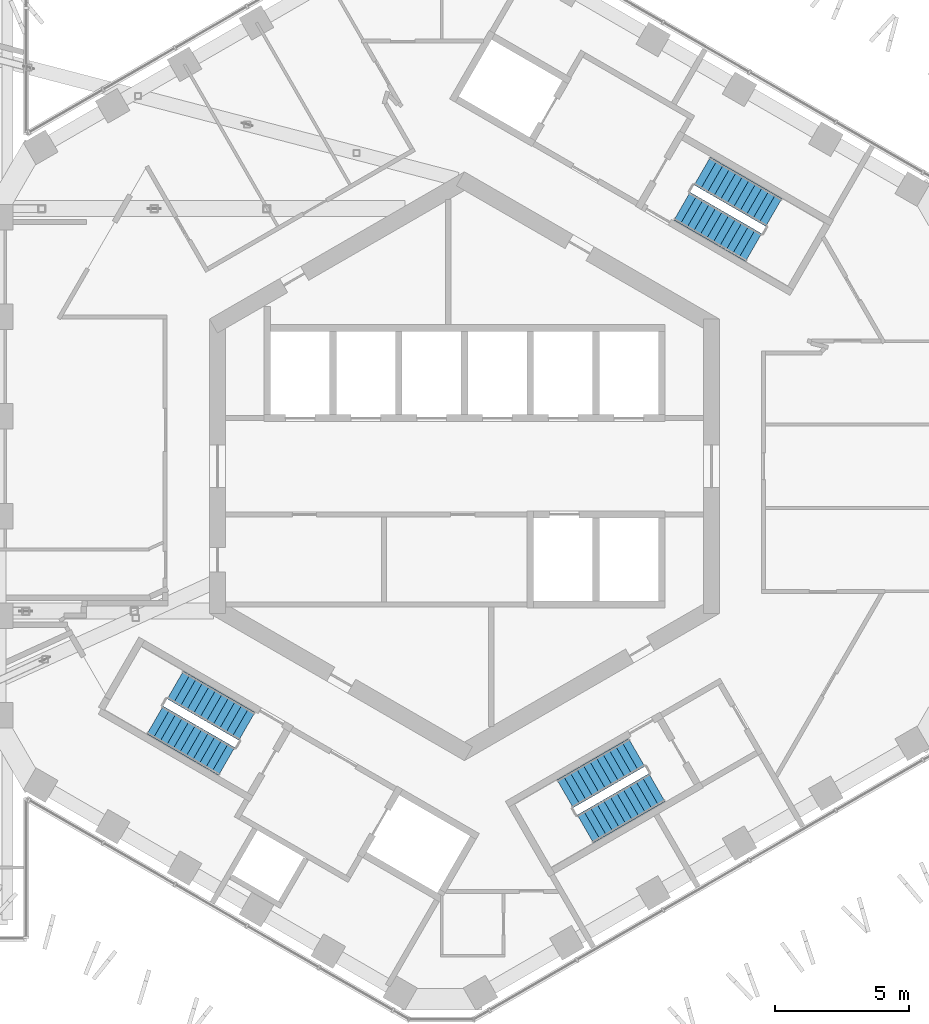
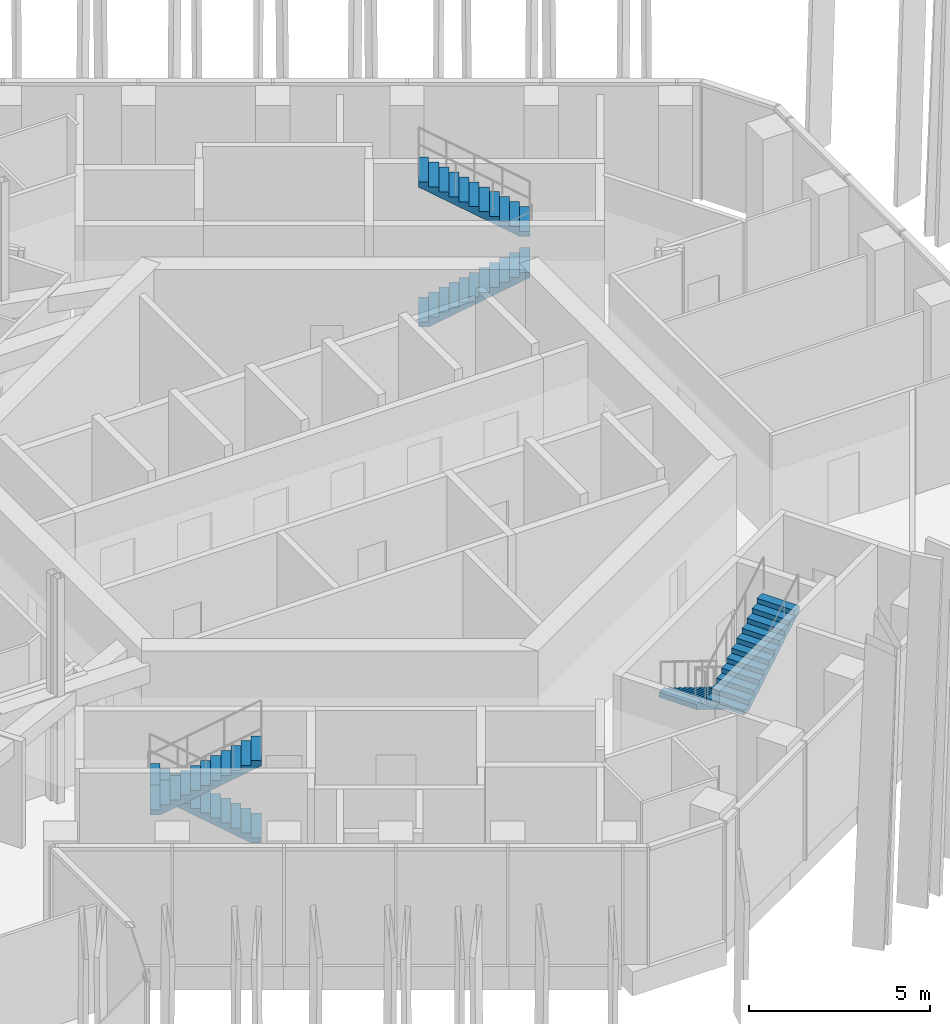
# One storey, part 24 of 28: 6 stair flights, 3 elements without a shape of their own.
"""IFC4 building model written with IfcOpenShell, lengths in metres."""

from ifc_helpers import new_model, si_unit, direction, frame, origin, place, context, subcontext, project, spatial, triangles, material, type_object, element, aggregate, save


model = new_model("IFC4")

# Units and contexts
model_context = context("Model", 3, precision=1e-05, world=origin(), true_north=direction((0.0, 1.0)))
body_context = subcontext(model_context, "Body", "Model", "MODEL_VIEW")
ifc_project = project(units=[si_unit("LENGTHUNIT", "METRE"), si_unit("AREAUNIT", "SQUARE_METRE"), si_unit("VOLUMEUNIT", "CUBIC_METRE"), si_unit("PLANEANGLEUNIT", "RADIAN"), si_unit("MASSUNIT", "GRAM", prefix="KILO")], contexts=[model_context])

# Site, building, storey
site_placement = place(None, origin())
site = spatial("IfcSite", under=ifc_project, at=site_placement, CompositionType="ELEMENT")
building_placement = place(site_placement, origin())
building = spatial("IfcBuilding", under=site, at=building_placement, Name="Ayvan Gate Tower", CompositionType="ELEMENT")
storey_placement = place(building_placement, frame((0.0, 0.0, 202.10009765625)))
storey = spatial("IfcBuildingStorey", under=building, at=storey_placement, Name="L54", CompositionType="ELEMENT", Elevation=202.10009765625)

# Stair, stair flights
ifc_material = material(Name="Concrete C40/50", Category="concrete")
stair_type = type_object("IfcStairType", Name="ST-EXIT", PredefinedType="HALF_TURN_STAIR", material=ifc_material)
stair_1_placement = place(storey_placement, origin())
stair_1 = element("IfcStair", 1, at=stair_1_placement, inside=storey, type_object=stair_type, Name="L54 Exit Stair S1", PredefinedType="HALF_TURN_STAIR")
stair_flight_type = type_object("IfcStairFlightType", Name="SFL-EXIT", PredefinedType="STRAIGHT", material=ifc_material)
stair_flight_1_placement = place(storey_placement, frame((8.106201171875, 9.690185546875, 0.0), z_axis=(0.0, 0.0, 1.0), x_axis=(0.866025403784, -0.5, 0.0)))
stair_flight_1 = element("IfcStairFlight", 2, at=stair_flight_1_placement, type_object=stair_flight_type, Name="STS1 flight 1", NumberOfRisers=12, NumberOfTreads=11, PredefinedType="STRAIGHT", RiserHeight=0.166666667, TreadLength=0.28, context=body_context, shape_type="Tessellation", body=[
    triangles([(0.293073, -0.599976, 0.0), (3.0805, -0.599976, 1.659182), (3.0805, -0.599976, 1.833333), (2.8, -0.599976, 1.833333), (2.8, -0.599976, 1.666667), (2.52, -0.599976, 1.666667), (2.52, -0.599976, 1.5), (2.24, -0.599976, 1.5), (2.24, -0.599976, 1.333333), (1.96, -0.599976, 1.333333), (1.96, -0.599976, 1.166667), (1.68, -0.599976, 1.166667), (1.68, -0.599976, 1.0), (1.4, -0.599976, 1.0), (1.4, -0.599976, 0.833333), (1.12, -0.599976, 0.833333), (1.12, -0.599976, 0.666667), (0.84, -0.599976, 0.666667), (0.84, -0.599976, 0.5), (0.56, -0.599976, 0.5), (0.56, -0.599976, 0.333333), (0.28, -0.599976, 0.333333), (0.28, -0.599976, 0.166667), (-0.0005, -0.599976, 0.166667), (-0.0005, -0.599976, 0.0), (0.293073, 0.0, 0.0), (3.0805, 0.0, 1.659182), (3.0805, 0.0, 1.833333), (2.8, 0.0, 1.833333), (2.8, 0.0, 1.666667), (2.52, 0.0, 1.666667), (2.52, 0.0, 1.5), (2.24, 0.0, 1.5), (2.24, 0.0, 1.333333), (1.96, 0.0, 1.333333), (1.96, 0.0, 1.166667), (1.68, 0.0, 1.166667), (1.68, 0.0, 1.0), (1.4, 0.0, 1.0), (1.4, 0.0, 0.833333), (1.12, 0.0, 0.833333), (1.12, 0.0, 0.666667), (0.84, 0.0, 0.666667), (0.84, 0.0, 0.5), (0.56, 0.0, 0.5), (0.56, 0.0, 0.333333), (0.28, 0.0, 0.333333), (0.28, 0.0, 0.166667), (-0.0005, 0.0, 0.166667), (-0.0005, 0.0, 0.0), (0.293073, 0.599976, 0.0), (3.0805, 0.599976, 1.659182), (3.0805, 0.599976, 1.833333), (2.8, 0.599976, 1.833333), (2.8, 0.599976, 1.666667), (2.52, 0.599976, 1.666667), (2.52, 0.599976, 1.5), (2.24, 0.599976, 1.5), (2.24, 0.599976, 1.333333), (1.96, 0.599976, 1.333333), (1.96, 0.599976, 1.166667), (1.68, 0.599976, 1.166667), (1.68, 0.599976, 1.0), (1.4, 0.599976, 1.0), (1.4, 0.599976, 0.833333), (1.12, 0.599976, 0.833333), (1.12, 0.599976, 0.666667), (0.84, 0.599976, 0.666667), (0.84, 0.599976, 0.5), (0.56, 0.599976, 0.5), (0.56, 0.599976, 0.333333), (0.28, 0.599976, 0.333333), (0.28, 0.599976, 0.166667), (-0.0005, 0.599976, 0.166667), (-0.0005, 0.599976, 0.0)], [[25, 1, 2], [75, 52, 51], [2, 3, 4], [52, 54, 53], [2, 4, 5], [52, 55, 54], [2, 5, 6], [52, 56, 55], [2, 6, 7], [52, 57, 56], [7, 8, 9], [57, 59, 58], [2, 7, 9], [52, 59, 57], [9, 10, 11], [59, 61, 60], [2, 9, 11], [52, 61, 59], [11, 12, 13], [61, 63, 62], [2, 11, 13], [52, 63, 61], [13, 14, 15], [63, 65, 64], [2, 13, 15], [52, 65, 63], [15, 16, 17], [65, 67, 66], [2, 15, 17], [52, 67, 65], [17, 18, 19], [67, 69, 68], [2, 17, 19], [52, 69, 67], [19, 20, 21], [69, 71, 70], [2, 19, 21], [52, 71, 69], [21, 22, 23], [71, 73, 72], [2, 21, 23], [52, 73, 71], [25, 2, 23], [75, 73, 52], [23, 24, 25], [73, 75, 74], [1, 26, 27], [1, 27, 2], [51, 27, 26], [51, 52, 27], [2, 27, 28], [2, 28, 3], [52, 28, 27], [52, 53, 28], [3, 28, 29], [3, 29, 4], [53, 29, 28], [53, 54, 29], [4, 29, 30], [4, 30, 5], [54, 30, 29], [54, 55, 30], [5, 30, 31], [5, 31, 6], [55, 31, 30], [55, 56, 31], [6, 31, 32], [6, 32, 7], [56, 32, 31], [56, 57, 32], [7, 32, 33], [7, 33, 8], [57, 33, 32], [57, 58, 33], [8, 33, 34], [8, 34, 9], [58, 34, 33], [58, 59, 34], [9, 34, 35], [9, 35, 10], [59, 35, 34], [59, 60, 35], [10, 35, 36], [10, 36, 11], [60, 36, 35], [60, 61, 36], [11, 36, 37], [11, 37, 12], [61, 37, 36], [61, 62, 37], [12, 37, 38], [12, 38, 13], [62, 38, 37], [62, 63, 38], [13, 38, 39], [13, 39, 14], [63, 39, 38], [63, 64, 39], [14, 39, 40], [14, 40, 15], [64, 40, 39], [64, 65, 40], [15, 40, 41], [15, 41, 16], [65, 41, 40], [65, 66, 41], [16, 41, 42], [16, 42, 17], [66, 42, 41], [66, 67, 42], [17, 42, 43], [17, 43, 18], [67, 43, 42], [67, 68, 43], [18, 43, 44], [18, 44, 19], [68, 44, 43], [68, 69, 44], [19, 44, 45], [19, 45, 20], [69, 45, 44], [69, 70, 45], [20, 45, 46], [20, 46, 21], [70, 46, 45], [70, 71, 46], [21, 46, 47], [21, 47, 22], [71, 47, 46], [71, 72, 47], [22, 47, 48], [22, 48, 23], [72, 48, 47], [72, 73, 48], [23, 48, 49], [23, 49, 24], [73, 49, 48], [73, 74, 49], [24, 49, 50], [24, 50, 25], [74, 50, 49], [74, 75, 50], [25, 50, 26], [25, 26, 1], [75, 26, 50], [75, 51, 26]], closed=True),
])
stair_flight_2_placement = place(storey_placement, frame((11.528564453125, 9.457763671875, 2.0), z_axis=(0.0, 0.0, 1.0), x_axis=(-0.866025403784, 0.5, 0.0)))
stair_flight_2 = element("IfcStairFlight", 3, at=stair_flight_2_placement, type_object=stair_flight_type, Name="STS1 flight 2", NumberOfRisers=12, NumberOfTreads=11, PredefinedType="STRAIGHT", RiserHeight=0.166666667, TreadLength=0.28, context=body_context, shape_type="Tessellation", body=[
    triangles([(0.293073, -0.599976, 0.0), (3.0805, -0.599976, 1.659182), (3.0805, -0.599976, 1.833333), (2.8, -0.599976, 1.833333), (2.8, -0.599976, 1.666667), (2.52, -0.599976, 1.666667), (2.52, -0.599976, 1.5), (2.24, -0.599976, 1.5), (2.24, -0.599976, 1.333333), (1.96, -0.599976, 1.333333), (1.96, -0.599976, 1.166667), (1.68, -0.599976, 1.166667), (1.68, -0.599976, 1.0), (1.4, -0.599976, 1.0), (1.4, -0.599976, 0.833333), (1.12, -0.599976, 0.833333), (1.12, -0.599976, 0.666667), (0.84, -0.599976, 0.666667), (0.84, -0.599976, 0.5), (0.56, -0.599976, 0.5), (0.56, -0.599976, 0.333333), (0.28, -0.599976, 0.333333), (0.28, -0.599976, 0.166667), (-0.0005, -0.599976, 0.166667), (-0.0005, -0.599976, 0.0), (0.293073, 0.0, 0.0), (3.0805, 0.0, 1.659182), (3.0805, 0.0, 1.833333), (2.8, 0.0, 1.833333), (2.8, 0.0, 1.666667), (2.52, 0.0, 1.666667), (2.52, 0.0, 1.5), (2.24, 0.0, 1.5), (2.24, 0.0, 1.333333), (1.96, 0.0, 1.333333), (1.96, 0.0, 1.166667), (1.68, 0.0, 1.166667), (1.68, 0.0, 1.0), (1.4, 0.0, 1.0), (1.4, 0.0, 0.833333), (1.12, 0.0, 0.833333), (1.12, 0.0, 0.666667), (0.84, 0.0, 0.666667), (0.84, 0.0, 0.5), (0.56, 0.0, 0.5), (0.56, 0.0, 0.333333), (0.28, 0.0, 0.333333), (0.28, 0.0, 0.166667), (-0.0005, 0.0, 0.166667), (-0.0005, 0.0, 0.0), (0.293073, 0.599976, 0.0), (3.0805, 0.599976, 1.659182), (3.0805, 0.599976, 1.833333), (2.8, 0.599976, 1.833333), (2.8, 0.599976, 1.666667), (2.52, 0.599976, 1.666667), (2.52, 0.599976, 1.5), (2.24, 0.599976, 1.5), (2.24, 0.599976, 1.333333), (1.96, 0.599976, 1.333333), (1.96, 0.599976, 1.166667), (1.68, 0.599976, 1.166667), (1.68, 0.599976, 1.0), (1.4, 0.599976, 1.0), (1.4, 0.599976, 0.833333), (1.12, 0.599976, 0.833333), (1.12, 0.599976, 0.666667), (0.84, 0.599976, 0.666667), (0.84, 0.599976, 0.5), (0.56, 0.599976, 0.5), (0.56, 0.599976, 0.333333), (0.28, 0.599976, 0.333333), (0.28, 0.599976, 0.166667), (-0.0005, 0.599976, 0.166667), (-0.0005, 0.599976, 0.0)], [[25, 1, 2], [75, 52, 51], [2, 3, 4], [52, 54, 53], [2, 4, 5], [52, 55, 54], [2, 5, 6], [52, 56, 55], [2, 6, 7], [52, 57, 56], [7, 8, 9], [57, 59, 58], [2, 7, 9], [52, 59, 57], [9, 10, 11], [59, 61, 60], [2, 9, 11], [52, 61, 59], [11, 12, 13], [61, 63, 62], [2, 11, 13], [52, 63, 61], [13, 14, 15], [63, 65, 64], [2, 13, 15], [52, 65, 63], [15, 16, 17], [65, 67, 66], [2, 15, 17], [52, 67, 65], [17, 18, 19], [67, 69, 68], [2, 17, 19], [52, 69, 67], [19, 20, 21], [69, 71, 70], [2, 19, 21], [52, 71, 69], [21, 22, 23], [71, 73, 72], [2, 21, 23], [52, 73, 71], [25, 2, 23], [75, 73, 52], [23, 24, 25], [73, 75, 74], [1, 26, 27], [1, 27, 2], [51, 27, 26], [51, 52, 27], [2, 27, 28], [2, 28, 3], [52, 28, 27], [52, 53, 28], [3, 28, 29], [3, 29, 4], [53, 29, 28], [53, 54, 29], [4, 29, 30], [4, 30, 5], [54, 30, 29], [54, 55, 30], [5, 30, 31], [5, 31, 6], [55, 31, 30], [55, 56, 31], [6, 31, 32], [6, 32, 7], [56, 32, 31], [56, 57, 32], [7, 32, 33], [7, 33, 8], [57, 33, 32], [57, 58, 33], [8, 33, 34], [8, 34, 9], [58, 34, 33], [58, 59, 34], [9, 34, 35], [9, 35, 10], [59, 35, 34], [59, 60, 35], [10, 35, 36], [10, 36, 11], [60, 36, 35], [60, 61, 36], [11, 36, 37], [11, 37, 12], [61, 37, 36], [61, 62, 37], [12, 37, 38], [12, 38, 13], [62, 38, 37], [62, 63, 38], [13, 38, 39], [13, 39, 14], [63, 39, 38], [63, 64, 39], [14, 39, 40], [14, 40, 15], [64, 40, 39], [64, 65, 40], [15, 40, 41], [15, 41, 16], [65, 41, 40], [65, 66, 41], [16, 41, 42], [16, 42, 17], [66, 42, 41], [66, 67, 42], [17, 42, 43], [17, 43, 18], [67, 43, 42], [67, 68, 43], [18, 43, 44], [18, 44, 19], [68, 44, 43], [68, 69, 44], [19, 44, 45], [19, 45, 20], [69, 45, 44], [69, 70, 45], [20, 45, 46], [20, 46, 21], [70, 46, 45], [70, 71, 46], [21, 46, 47], [21, 47, 22], [71, 47, 46], [71, 72, 47], [22, 47, 48], [22, 48, 23], [72, 48, 47], [72, 73, 48], [23, 48, 49], [23, 49, 24], [73, 49, 48], [73, 74, 49], [24, 49, 50], [24, 50, 25], [74, 50, 49], [74, 75, 50], [25, 50, 26], [25, 26, 1], [75, 26, 50], [75, 51, 26]], closed=True),
])
aggregate(stair_1, [stair_flight_1, stair_flight_2])

stair_2_placement = place(storey_placement, origin())
stair_2 = element("IfcStair", 4, at=stair_2_placement, inside=storey, type_object=stair_type, Name="L54 Exit Stair S2", PredefinedType="HALF_TURN_STAIR")
stair_flight_3_placement = place(storey_placement, frame((-8.106201171875, -9.690185546875, 0.0), z_axis=(0.0, 0.0, 1.0), x_axis=(-0.866025403784, 0.5, 0.0)))
stair_flight_3 = element("IfcStairFlight", 5, at=stair_flight_3_placement, type_object=stair_flight_type, Name="STS2 flight 1", NumberOfRisers=12, NumberOfTreads=11, PredefinedType="STRAIGHT", RiserHeight=0.166666667, TreadLength=0.28, context=body_context, shape_type="Tessellation", body=[
    triangles([(0.293073, -0.599976, 0.0), (3.0805, -0.599976, 1.659182), (3.0805, -0.599976, 1.833333), (2.8, -0.599976, 1.833333), (2.8, -0.599976, 1.666667), (2.52, -0.599976, 1.666667), (2.52, -0.599976, 1.5), (2.24, -0.599976, 1.5), (2.24, -0.599976, 1.333333), (1.96, -0.599976, 1.333333), (1.96, -0.599976, 1.166667), (1.68, -0.599976, 1.166667), (1.68, -0.599976, 1.0), (1.4, -0.599976, 1.0), (1.4, -0.599976, 0.833333), (1.12, -0.599976, 0.833333), (1.12, -0.599976, 0.666667), (0.84, -0.599976, 0.666667), (0.84, -0.599976, 0.5), (0.56, -0.599976, 0.5), (0.56, -0.599976, 0.333333), (0.28, -0.599976, 0.333333), (0.28, -0.599976, 0.166667), (-0.0005, -0.599976, 0.166667), (-0.0005, -0.599976, 0.0), (0.293073, 0.0, 0.0), (3.0805, 0.0, 1.659182), (3.0805, 0.0, 1.833333), (2.8, 0.0, 1.833333), (2.8, 0.0, 1.666667), (2.52, 0.0, 1.666667), (2.52, 0.0, 1.5), (2.24, 0.0, 1.5), (2.24, 0.0, 1.333333), (1.96, 0.0, 1.333333), (1.96, 0.0, 1.166667), (1.68, 0.0, 1.166667), (1.68, 0.0, 1.0), (1.4, 0.0, 1.0), (1.4, 0.0, 0.833333), (1.12, 0.0, 0.833333), (1.12, 0.0, 0.666667), (0.84, 0.0, 0.666667), (0.84, 0.0, 0.5), (0.56, 0.0, 0.5), (0.56, 0.0, 0.333333), (0.28, 0.0, 0.333333), (0.28, 0.0, 0.166667), (-0.0005, 0.0, 0.166667), (-0.0005, 0.0, 0.0), (0.293073, 0.599976, 0.0), (3.0805, 0.599976, 1.659182), (3.0805, 0.599976, 1.833333), (2.8, 0.599976, 1.833333), (2.8, 0.599976, 1.666667), (2.52, 0.599976, 1.666667), (2.52, 0.599976, 1.5), (2.24, 0.599976, 1.5), (2.24, 0.599976, 1.333333), (1.96, 0.599976, 1.333333), (1.96, 0.599976, 1.166667), (1.68, 0.599976, 1.166667), (1.68, 0.599976, 1.0), (1.4, 0.599976, 1.0), (1.4, 0.599976, 0.833333), (1.12, 0.599976, 0.833333), (1.12, 0.599976, 0.666667), (0.84, 0.599976, 0.666667), (0.84, 0.599976, 0.5), (0.56, 0.599976, 0.5), (0.56, 0.599976, 0.333333), (0.28, 0.599976, 0.333333), (0.28, 0.599976, 0.166667), (-0.0005, 0.599976, 0.166667), (-0.0005, 0.599976, 0.0)], [[25, 1, 2], [75, 52, 51], [2, 3, 4], [52, 54, 53], [2, 4, 5], [52, 55, 54], [2, 5, 6], [52, 56, 55], [2, 6, 7], [52, 57, 56], [7, 8, 9], [57, 59, 58], [2, 7, 9], [52, 59, 57], [9, 10, 11], [59, 61, 60], [2, 9, 11], [52, 61, 59], [11, 12, 13], [61, 63, 62], [2, 11, 13], [52, 63, 61], [13, 14, 15], [63, 65, 64], [2, 13, 15], [52, 65, 63], [15, 16, 17], [65, 67, 66], [2, 15, 17], [52, 67, 65], [17, 18, 19], [67, 69, 68], [2, 17, 19], [52, 69, 67], [19, 20, 21], [69, 71, 70], [2, 19, 21], [52, 71, 69], [21, 22, 23], [71, 73, 72], [2, 21, 23], [52, 73, 71], [25, 2, 23], [75, 73, 52], [23, 24, 25], [73, 75, 74], [1, 26, 27], [1, 27, 2], [51, 27, 26], [51, 52, 27], [2, 27, 28], [2, 28, 3], [52, 28, 27], [52, 53, 28], [3, 28, 29], [3, 29, 4], [53, 29, 28], [53, 54, 29], [4, 29, 30], [4, 30, 5], [54, 30, 29], [54, 55, 30], [5, 30, 31], [5, 31, 6], [55, 31, 30], [55, 56, 31], [6, 31, 32], [6, 32, 7], [56, 32, 31], [56, 57, 32], [7, 32, 33], [7, 33, 8], [57, 33, 32], [57, 58, 33], [8, 33, 34], [8, 34, 9], [58, 34, 33], [58, 59, 34], [9, 34, 35], [9, 35, 10], [59, 35, 34], [59, 60, 35], [10, 35, 36], [10, 36, 11], [60, 36, 35], [60, 61, 36], [11, 36, 37], [11, 37, 12], [61, 37, 36], [61, 62, 37], [12, 37, 38], [12, 38, 13], [62, 38, 37], [62, 63, 38], [13, 38, 39], [13, 39, 14], [63, 39, 38], [63, 64, 39], [14, 39, 40], [14, 40, 15], [64, 40, 39], [64, 65, 40], [15, 40, 41], [15, 41, 16], [65, 41, 40], [65, 66, 41], [16, 41, 42], [16, 42, 17], [66, 42, 41], [66, 67, 42], [17, 42, 43], [17, 43, 18], [67, 43, 42], [67, 68, 43], [18, 43, 44], [18, 44, 19], [68, 44, 43], [68, 69, 44], [19, 44, 45], [19, 45, 20], [69, 45, 44], [69, 70, 45], [20, 45, 46], [20, 46, 21], [70, 46, 45], [70, 71, 46], [21, 46, 47], [21, 47, 22], [71, 47, 46], [71, 72, 47], [22, 47, 48], [22, 48, 23], [72, 48, 47], [72, 73, 48], [23, 48, 49], [23, 49, 24], [73, 49, 48], [73, 74, 49], [24, 49, 50], [24, 50, 25], [74, 50, 49], [74, 75, 50], [25, 50, 26], [25, 26, 1], [75, 26, 50], [75, 51, 26]], closed=True),
])
stair_flight_4_placement = place(storey_placement, frame((-11.528564453125, -9.457763671875, 2.0), z_axis=(0.0, 0.0, 1.0), x_axis=(0.866025403784, -0.5, 0.0)))
stair_flight_4 = element("IfcStairFlight", 6, at=stair_flight_4_placement, type_object=stair_flight_type, Name="STS2 flight 2", NumberOfRisers=12, NumberOfTreads=11, PredefinedType="STRAIGHT", RiserHeight=0.166666667, TreadLength=0.28, context=body_context, shape_type="Tessellation", body=[
    triangles([(0.293073, -0.599976, 0.0), (3.0805, -0.599976, 1.659182), (3.0805, -0.599976, 1.833333), (2.8, -0.599976, 1.833333), (2.8, -0.599976, 1.666667), (2.52, -0.599976, 1.666667), (2.52, -0.599976, 1.5), (2.24, -0.599976, 1.5), (2.24, -0.599976, 1.333333), (1.96, -0.599976, 1.333333), (1.96, -0.599976, 1.166667), (1.68, -0.599976, 1.166667), (1.68, -0.599976, 1.0), (1.4, -0.599976, 1.0), (1.4, -0.599976, 0.833333), (1.12, -0.599976, 0.833333), (1.12, -0.599976, 0.666667), (0.84, -0.599976, 0.666667), (0.84, -0.599976, 0.5), (0.56, -0.599976, 0.5), (0.56, -0.599976, 0.333333), (0.28, -0.599976, 0.333333), (0.28, -0.599976, 0.166667), (-0.0005, -0.599976, 0.166667), (-0.0005, -0.599976, 0.0), (0.293073, 0.0, 0.0), (3.0805, 0.0, 1.659182), (3.0805, 0.0, 1.833333), (2.8, 0.0, 1.833333), (2.8, 0.0, 1.666667), (2.52, 0.0, 1.666667), (2.52, 0.0, 1.5), (2.24, 0.0, 1.5), (2.24, 0.0, 1.333333), (1.96, 0.0, 1.333333), (1.96, 0.0, 1.166667), (1.68, 0.0, 1.166667), (1.68, 0.0, 1.0), (1.4, 0.0, 1.0), (1.4, 0.0, 0.833333), (1.12, 0.0, 0.833333), (1.12, 0.0, 0.666667), (0.84, 0.0, 0.666667), (0.84, 0.0, 0.5), (0.56, 0.0, 0.5), (0.56, 0.0, 0.333333), (0.28, 0.0, 0.333333), (0.28, 0.0, 0.166667), (-0.0005, 0.0, 0.166667), (-0.0005, 0.0, 0.0), (0.293073, 0.599976, 0.0), (3.0805, 0.599976, 1.659182), (3.0805, 0.599976, 1.833333), (2.8, 0.599976, 1.833333), (2.8, 0.599976, 1.666667), (2.52, 0.599976, 1.666667), (2.52, 0.599976, 1.5), (2.24, 0.599976, 1.5), (2.24, 0.599976, 1.333333), (1.96, 0.599976, 1.333333), (1.96, 0.599976, 1.166667), (1.68, 0.599976, 1.166667), (1.68, 0.599976, 1.0), (1.4, 0.599976, 1.0), (1.4, 0.599976, 0.833333), (1.12, 0.599976, 0.833333), (1.12, 0.599976, 0.666667), (0.84, 0.599976, 0.666667), (0.84, 0.599976, 0.5), (0.56, 0.599976, 0.5), (0.56, 0.599976, 0.333333), (0.28, 0.599976, 0.333333), (0.28, 0.599976, 0.166667), (-0.0005, 0.599976, 0.166667), (-0.0005, 0.599976, 0.0)], [[25, 1, 2], [75, 52, 51], [2, 3, 4], [52, 54, 53], [2, 4, 5], [52, 55, 54], [2, 5, 6], [52, 56, 55], [2, 6, 7], [52, 57, 56], [7, 8, 9], [57, 59, 58], [2, 7, 9], [52, 59, 57], [9, 10, 11], [59, 61, 60], [2, 9, 11], [52, 61, 59], [11, 12, 13], [61, 63, 62], [2, 11, 13], [52, 63, 61], [13, 14, 15], [63, 65, 64], [2, 13, 15], [52, 65, 63], [15, 16, 17], [65, 67, 66], [2, 15, 17], [52, 67, 65], [17, 18, 19], [67, 69, 68], [2, 17, 19], [52, 69, 67], [19, 20, 21], [69, 71, 70], [2, 19, 21], [52, 71, 69], [21, 22, 23], [71, 73, 72], [2, 21, 23], [52, 73, 71], [25, 2, 23], [75, 73, 52], [23, 24, 25], [73, 75, 74], [1, 26, 27], [1, 27, 2], [51, 27, 26], [51, 52, 27], [2, 27, 28], [2, 28, 3], [52, 28, 27], [52, 53, 28], [3, 28, 29], [3, 29, 4], [53, 29, 28], [53, 54, 29], [4, 29, 30], [4, 30, 5], [54, 30, 29], [54, 55, 30], [5, 30, 31], [5, 31, 6], [55, 31, 30], [55, 56, 31], [6, 31, 32], [6, 32, 7], [56, 32, 31], [56, 57, 32], [7, 32, 33], [7, 33, 8], [57, 33, 32], [57, 58, 33], [8, 33, 34], [8, 34, 9], [58, 34, 33], [58, 59, 34], [9, 34, 35], [9, 35, 10], [59, 35, 34], [59, 60, 35], [10, 35, 36], [10, 36, 11], [60, 36, 35], [60, 61, 36], [11, 36, 37], [11, 37, 12], [61, 37, 36], [61, 62, 37], [12, 37, 38], [12, 38, 13], [62, 38, 37], [62, 63, 38], [13, 38, 39], [13, 39, 14], [63, 39, 38], [63, 64, 39], [14, 39, 40], [14, 40, 15], [64, 40, 39], [64, 65, 40], [15, 40, 41], [15, 41, 16], [65, 41, 40], [65, 66, 41], [16, 41, 42], [16, 42, 17], [66, 42, 41], [66, 67, 42], [17, 42, 43], [17, 43, 18], [67, 43, 42], [67, 68, 43], [18, 43, 44], [18, 44, 19], [68, 44, 43], [68, 69, 44], [19, 44, 45], [19, 45, 20], [69, 45, 44], [69, 70, 45], [20, 45, 46], [20, 46, 21], [70, 46, 45], [70, 71, 46], [21, 46, 47], [21, 47, 22], [71, 47, 46], [71, 72, 47], [22, 47, 48], [22, 48, 23], [72, 48, 47], [72, 73, 48], [23, 48, 49], [23, 49, 24], [73, 49, 48], [73, 74, 49], [24, 49, 50], [24, 50, 25], [74, 50, 49], [74, 75, 50], [25, 50, 26], [25, 26, 1], [75, 26, 50], [75, 51, 26]], closed=True),
])
aggregate(stair_2, [stair_flight_3, stair_flight_4])

stair_3_placement = place(storey_placement, origin())
stair_3 = element("IfcStair", 7, at=stair_3_placement, inside=storey, type_object=stair_type, Name="L54 Exit Stair S3", PredefinedType="HALF_TURN_STAIR")
stair_flight_5_placement = place(storey_placement, frame((6.417236328125, -10.665283203125, 0.0), z_axis=(0.0, 0.0, 1.0), x_axis=(-0.866025403784, -0.5, 0.0)))
stair_flight_5 = element("IfcStairFlight", 8, at=stair_flight_5_placement, type_object=stair_flight_type, Name="STS3 flight 1", NumberOfRisers=12, NumberOfTreads=11, PredefinedType="STRAIGHT", RiserHeight=0.166666667, TreadLength=0.28, context=body_context, shape_type="Tessellation", body=[
    triangles([(0.293073, -0.599976, 0.0), (3.0805, -0.599976, 1.659182), (3.0805, -0.599976, 1.833333), (2.8, -0.599976, 1.833333), (2.8, -0.599976, 1.666667), (2.52, -0.599976, 1.666667), (2.52, -0.599976, 1.5), (2.24, -0.599976, 1.5), (2.24, -0.599976, 1.333333), (1.96, -0.599976, 1.333333), (1.96, -0.599976, 1.166667), (1.68, -0.599976, 1.166667), (1.68, -0.599976, 1.0), (1.4, -0.599976, 1.0), (1.4, -0.599976, 0.833333), (1.12, -0.599976, 0.833333), (1.12, -0.599976, 0.666667), (0.84, -0.599976, 0.666667), (0.84, -0.599976, 0.5), (0.56, -0.599976, 0.5), (0.56, -0.599976, 0.333333), (0.28, -0.599976, 0.333333), (0.28, -0.599976, 0.166667), (-0.0005, -0.599976, 0.166667), (-0.0005, -0.599976, 0.0), (0.293073, 0.0, 0.0), (3.0805, 0.0, 1.659182), (3.0805, 0.0, 1.833333), (2.8, 0.0, 1.833333), (2.8, 0.0, 1.666667), (2.52, 0.0, 1.666667), (2.52, 0.0, 1.5), (2.24, 0.0, 1.5), (2.24, 0.0, 1.333333), (1.96, 0.0, 1.333333), (1.96, 0.0, 1.166667), (1.68, 0.0, 1.166667), (1.68, 0.0, 1.0), (1.4, 0.0, 1.0), (1.4, 0.0, 0.833333), (1.12, 0.0, 0.833333), (1.12, 0.0, 0.666667), (0.84, 0.0, 0.666667), (0.84, 0.0, 0.5), (0.56, 0.0, 0.5), (0.56, 0.0, 0.333333), (0.28, 0.0, 0.333333), (0.28, 0.0, 0.166667), (-0.0005, 0.0, 0.166667), (-0.0005, 0.0, 0.0), (0.293073, 0.599976, 0.0), (3.0805, 0.599976, 1.659182), (3.0805, 0.599976, 1.833333), (2.8, 0.599976, 1.833333), (2.8, 0.599976, 1.666667), (2.52, 0.599976, 1.666667), (2.52, 0.599976, 1.5), (2.24, 0.599976, 1.5), (2.24, 0.599976, 1.333333), (1.96, 0.599976, 1.333333), (1.96, 0.599976, 1.166667), (1.68, 0.599976, 1.166667), (1.68, 0.599976, 1.0), (1.4, 0.599976, 1.0), (1.4, 0.599976, 0.833333), (1.12, 0.599976, 0.833333), (1.12, 0.599976, 0.666667), (0.84, 0.599976, 0.666667), (0.84, 0.599976, 0.5), (0.56, 0.599976, 0.5), (0.56, 0.599976, 0.333333), (0.28, 0.599976, 0.333333), (0.28, 0.599976, 0.166667), (-0.0005, 0.599976, 0.166667), (-0.0005, 0.599976, 0.0)], [[25, 1, 2], [75, 52, 51], [2, 3, 4], [52, 54, 53], [2, 4, 5], [52, 55, 54], [2, 5, 6], [52, 56, 55], [2, 6, 7], [52, 57, 56], [7, 8, 9], [57, 59, 58], [2, 7, 9], [52, 59, 57], [9, 10, 11], [59, 61, 60], [2, 9, 11], [52, 61, 59], [11, 12, 13], [61, 63, 62], [2, 11, 13], [52, 63, 61], [13, 14, 15], [63, 65, 64], [2, 13, 15], [52, 65, 63], [15, 16, 17], [65, 67, 66], [2, 15, 17], [52, 67, 65], [17, 18, 19], [67, 69, 68], [2, 17, 19], [52, 69, 67], [19, 20, 21], [69, 71, 70], [2, 19, 21], [52, 71, 69], [21, 22, 23], [71, 73, 72], [2, 21, 23], [52, 73, 71], [25, 2, 23], [75, 73, 52], [23, 24, 25], [73, 75, 74], [1, 26, 27], [1, 27, 2], [51, 27, 26], [51, 52, 27], [2, 27, 28], [2, 28, 3], [52, 28, 27], [52, 53, 28], [3, 28, 29], [3, 29, 4], [53, 29, 28], [53, 54, 29], [4, 29, 30], [4, 30, 5], [54, 30, 29], [54, 55, 30], [5, 30, 31], [5, 31, 6], [55, 31, 30], [55, 56, 31], [6, 31, 32], [6, 32, 7], [56, 32, 31], [56, 57, 32], [7, 32, 33], [7, 33, 8], [57, 33, 32], [57, 58, 33], [8, 33, 34], [8, 34, 9], [58, 34, 33], [58, 59, 34], [9, 34, 35], [9, 35, 10], [59, 35, 34], [59, 60, 35], [10, 35, 36], [10, 36, 11], [60, 36, 35], [60, 61, 36], [11, 36, 37], [11, 37, 12], [61, 37, 36], [61, 62, 37], [12, 37, 38], [12, 38, 13], [62, 38, 37], [62, 63, 38], [13, 38, 39], [13, 39, 14], [63, 39, 38], [63, 64, 39], [14, 39, 40], [14, 40, 15], [64, 40, 39], [64, 65, 40], [15, 40, 41], [15, 41, 16], [65, 41, 40], [65, 66, 41], [16, 41, 42], [16, 42, 17], [66, 42, 41], [66, 67, 42], [17, 42, 43], [17, 43, 18], [67, 43, 42], [67, 68, 43], [18, 43, 44], [18, 44, 19], [68, 44, 43], [68, 69, 44], [19, 44, 45], [19, 45, 20], [69, 45, 44], [69, 70, 45], [20, 45, 46], [20, 46, 21], [70, 46, 45], [70, 71, 46], [21, 46, 47], [21, 47, 22], [71, 47, 46], [71, 72, 47], [22, 47, 48], [22, 48, 23], [72, 48, 47], [72, 73, 48], [23, 48, 49], [23, 49, 24], [73, 49, 48], [73, 74, 49], [24, 49, 50], [24, 50, 25], [74, 50, 49], [74, 75, 50], [25, 50, 26], [25, 26, 1], [75, 26, 50], [75, 51, 26]], closed=True),
])
stair_flight_6_placement = place(storey_placement, frame((4.5048828125, -13.512939453125, 2.0), z_axis=(0.0, 0.0, 1.0), x_axis=(0.866025403784, 0.5, 0.0)))
stair_flight_6 = element("IfcStairFlight", 9, at=stair_flight_6_placement, type_object=stair_flight_type, Name="STS3 flight 2", NumberOfRisers=12, NumberOfTreads=11, PredefinedType="STRAIGHT", RiserHeight=0.166666667, TreadLength=0.28, context=body_context, shape_type="Tessellation", body=[
    triangles([(0.293073, -0.599976, 0.0), (3.0805, -0.599976, 1.659182), (3.0805, -0.599976, 1.833333), (2.8, -0.599976, 1.833333), (2.8, -0.599976, 1.666667), (2.52, -0.599976, 1.666667), (2.52, -0.599976, 1.5), (2.24, -0.599976, 1.5), (2.24, -0.599976, 1.333333), (1.96, -0.599976, 1.333333), (1.96, -0.599976, 1.166667), (1.68, -0.599976, 1.166667), (1.68, -0.599976, 1.0), (1.4, -0.599976, 1.0), (1.4, -0.599976, 0.833333), (1.12, -0.599976, 0.833333), (1.12, -0.599976, 0.666667), (0.84, -0.599976, 0.666667), (0.84, -0.599976, 0.5), (0.56, -0.599976, 0.5), (0.56, -0.599976, 0.333333), (0.28, -0.599976, 0.333333), (0.28, -0.599976, 0.166667), (-0.0005, -0.599976, 0.166667), (-0.0005, -0.599976, 0.0), (0.293073, 0.0, 0.0), (3.0805, 0.0, 1.659182), (3.0805, 0.0, 1.833333), (2.8, 0.0, 1.833333), (2.8, 0.0, 1.666667), (2.52, 0.0, 1.666667), (2.52, 0.0, 1.5), (2.24, 0.0, 1.5), (2.24, 0.0, 1.333333), (1.96, 0.0, 1.333333), (1.96, 0.0, 1.166667), (1.68, 0.0, 1.166667), (1.68, 0.0, 1.0), (1.4, 0.0, 1.0), (1.4, 0.0, 0.833333), (1.12, 0.0, 0.833333), (1.12, 0.0, 0.666667), (0.84, 0.0, 0.666667), (0.84, 0.0, 0.5), (0.56, 0.0, 0.5), (0.56, 0.0, 0.333333), (0.28, 0.0, 0.333333), (0.28, 0.0, 0.166667), (-0.0005, 0.0, 0.166667), (-0.0005, 0.0, 0.0), (0.293073, 0.599976, 0.0), (3.0805, 0.599976, 1.659182), (3.0805, 0.599976, 1.833333), (2.8, 0.599976, 1.833333), (2.8, 0.599976, 1.666667), (2.52, 0.599976, 1.666667), (2.52, 0.599976, 1.5), (2.24, 0.599976, 1.5), (2.24, 0.599976, 1.333333), (1.96, 0.599976, 1.333333), (1.96, 0.599976, 1.166667), (1.68, 0.599976, 1.166667), (1.68, 0.599976, 1.0), (1.4, 0.599976, 1.0), (1.4, 0.599976, 0.833333), (1.12, 0.599976, 0.833333), (1.12, 0.599976, 0.666667), (0.84, 0.599976, 0.666667), (0.84, 0.599976, 0.5), (0.56, 0.599976, 0.5), (0.56, 0.599976, 0.333333), (0.28, 0.599976, 0.333333), (0.28, 0.599976, 0.166667), (-0.0005, 0.599976, 0.166667), (-0.0005, 0.599976, 0.0)], [[25, 1, 2], [75, 52, 51], [2, 3, 4], [52, 54, 53], [2, 4, 5], [52, 55, 54], [2, 5, 6], [52, 56, 55], [2, 6, 7], [52, 57, 56], [7, 8, 9], [57, 59, 58], [2, 7, 9], [52, 59, 57], [9, 10, 11], [59, 61, 60], [2, 9, 11], [52, 61, 59], [11, 12, 13], [61, 63, 62], [2, 11, 13], [52, 63, 61], [13, 14, 15], [63, 65, 64], [2, 13, 15], [52, 65, 63], [15, 16, 17], [65, 67, 66], [2, 15, 17], [52, 67, 65], [17, 18, 19], [67, 69, 68], [2, 17, 19], [52, 69, 67], [19, 20, 21], [69, 71, 70], [2, 19, 21], [52, 71, 69], [21, 22, 23], [71, 73, 72], [2, 21, 23], [52, 73, 71], [25, 2, 23], [75, 73, 52], [23, 24, 25], [73, 75, 74], [1, 26, 27], [1, 27, 2], [51, 27, 26], [51, 52, 27], [2, 27, 28], [2, 28, 3], [52, 28, 27], [52, 53, 28], [3, 28, 29], [3, 29, 4], [53, 29, 28], [53, 54, 29], [4, 29, 30], [4, 30, 5], [54, 30, 29], [54, 55, 30], [5, 30, 31], [5, 31, 6], [55, 31, 30], [55, 56, 31], [6, 31, 32], [6, 32, 7], [56, 32, 31], [56, 57, 32], [7, 32, 33], [7, 33, 8], [57, 33, 32], [57, 58, 33], [8, 33, 34], [8, 34, 9], [58, 34, 33], [58, 59, 34], [9, 34, 35], [9, 35, 10], [59, 35, 34], [59, 60, 35], [10, 35, 36], [10, 36, 11], [60, 36, 35], [60, 61, 36], [11, 36, 37], [11, 37, 12], [61, 37, 36], [61, 62, 37], [12, 37, 38], [12, 38, 13], [62, 38, 37], [62, 63, 38], [13, 38, 39], [13, 39, 14], [63, 39, 38], [63, 64, 39], [14, 39, 40], [14, 40, 15], [64, 40, 39], [64, 65, 40], [15, 40, 41], [15, 41, 16], [65, 41, 40], [65, 66, 41], [16, 41, 42], [16, 42, 17], [66, 42, 41], [66, 67, 42], [17, 42, 43], [17, 43, 18], [67, 43, 42], [67, 68, 43], [18, 43, 44], [18, 44, 19], [68, 44, 43], [68, 69, 44], [19, 44, 45], [19, 45, 20], [69, 45, 44], [69, 70, 45], [20, 45, 46], [20, 46, 21], [70, 46, 45], [70, 71, 46], [21, 46, 47], [21, 47, 22], [71, 47, 46], [71, 72, 47], [22, 47, 48], [22, 48, 23], [72, 48, 47], [72, 73, 48], [23, 48, 49], [23, 49, 24], [73, 49, 48], [73, 74, 49], [24, 49, 50], [24, 50, 25], [74, 50, 49], [74, 75, 50], [25, 50, 26], [25, 26, 1], [75, 26, 50], [75, 51, 26]], closed=True),
])
aggregate(stair_3, [stair_flight_5, stair_flight_6])

save(model, "model.ifc")
